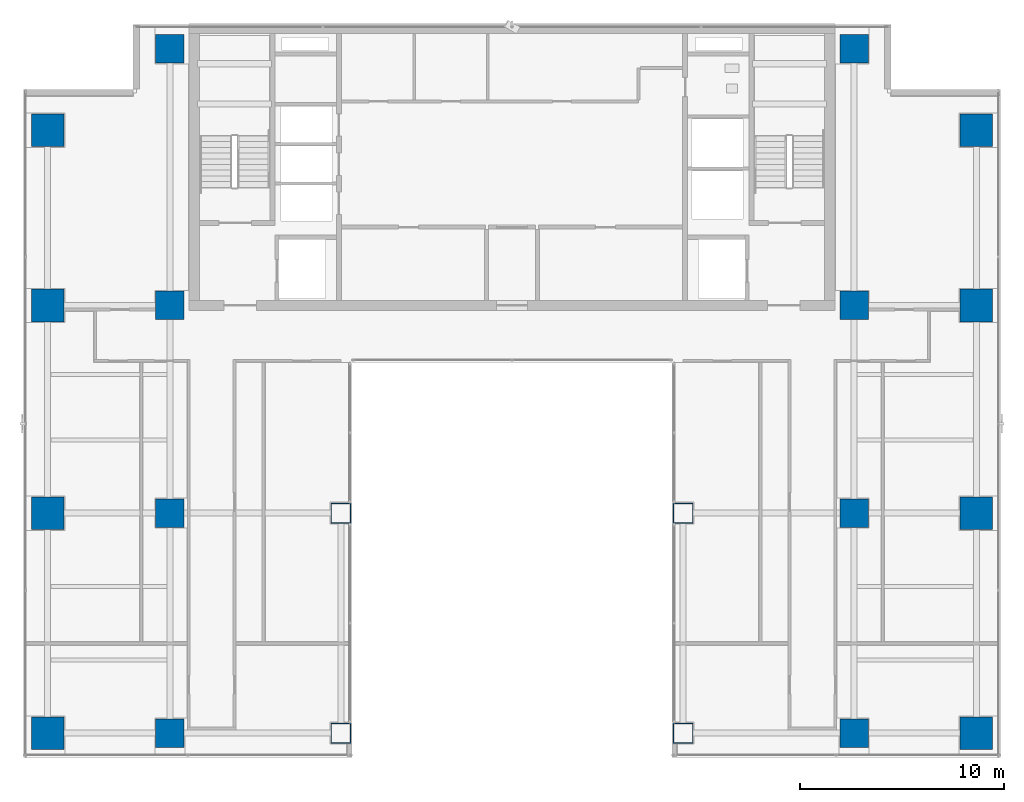
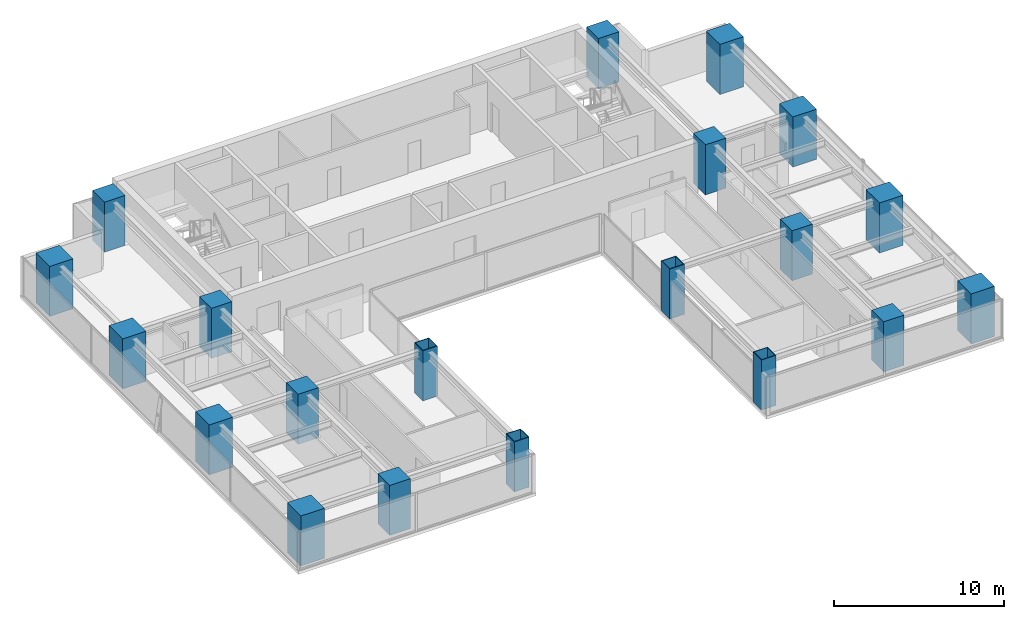
# One storey, part 1 of 29: 20 columns.
"""IFC4 building model written with IfcOpenShell, lengths in metres."""

from ifc_helpers import new_model, si_unit, direction, frame, origin, origin_2d, place, context, subcontext, project, spatial, rectangle, hollow_rectangle, extrude, source, transform, mapped, material, material_profile, profile_set, type_object, element, save


model = new_model("IFC4")

# Units and contexts
model_context = context("Model", 3, precision=1e-05, world=origin(), true_north=direction((0.0, 1.0)))
body_context = subcontext(model_context, "Body", "Model", "MODEL_VIEW")
ifc_project = project(units=[si_unit("LENGTHUNIT", "METRE"), si_unit("AREAUNIT", "SQUARE_METRE"), si_unit("VOLUMEUNIT", "CUBIC_METRE"), si_unit("PLANEANGLEUNIT", "RADIAN"), si_unit("MASSUNIT", "GRAM", prefix="KILO")], contexts=[model_context])

# Site, building, storey
site_placement = place(None, origin())
site = spatial("IfcSite", under=ifc_project, at=site_placement, CompositionType="ELEMENT")
building_placement = place(site_placement, origin())
building = spatial("IfcBuilding", under=site, at=building_placement, Name="Sumidabori Civic Tower", CompositionType="ELEMENT")
storey_placement = place(building_placement, frame((0.0, 0.0, 203.60009765625)))
storey = spatial("IfcBuildingStorey", under=building, at=storey_placement, Name="L52", CompositionType="ELEMENT", Elevation=203.60009765625)

# Columns
ifc_material_1 = material(Name="Concrete C60/75", Category="concrete")
ifc_material_profile_1 = material_profile(ifc_material_1, rectangle(XDim=1.60009765625, YDim=1.60009765625, at=origin_2d()), Name="RC 1600x1600")
ifc_profile_set_1 = profile_set([ifc_material_profile_1], Name="Concrete C60/75")
column_type_1 = type_object("IfcColumnType", Name="CL-MEGA-1600", PredefinedType="COLUMN", material=ifc_profile_set_1)
shared_shape_1 = source(origin(), body_context, "Body", "SweptSolid", [
    extrude(rectangle(XDim=1.60009765625, YDim=1.60009765625, at=origin_2d()), origin(), (0.0, 0.0, 1.0), 3.599853515625),
])
for number, where, z_axis, x_axis, name in (
    (1, (-22.800048828125, -10.800048828125, 0.0), (0.0, 0.0, 1.0), (1.0, 0.0, 0.0), "Column MC-W23-Y11S L52"),
    (2, (-22.800048828125, 0.0, 0.0), (0.0, 0.0, 1.0), (1.0, 0.0, 0.0), "Column MC-W23-Y00 L52"),
    (3, (-22.800048828125, 10.199951171875, 0.0), (0.0, 0.0, 1.0), (1.0, 0.0, 0.0), "Column MC-W23-Y10N L52"),
    (4, (-22.800048828125, 18.800048828125, 0.0), (0.0, 0.0, 1.0), (1.0, 0.0, 0.0), "Column MC-W23-Y19N L52"),
    (5, (22.800048828125, -10.800048828125, 0.0), (0.0, 0.0, 1.0), (1.0, 0.0, 0.0), "Column MC-E23-Y11S L52"),
    (6, (22.800048828125, 0.0, 0.0), (0.0, 0.0, 1.0), (1.0, 0.0, 0.0), "Column MC-E23-Y00 L52"),
    (7, (22.800048828125, 10.199951171875, 0.0), (0.0, 0.0, 1.0), (1.0, 0.0, 0.0), "Column MC-E23-Y10N L52"),
    (8, (22.800048828125, 18.800048828125, 0.0), (0.0, 0.0, 1.0), (1.0, 0.0, 0.0), "Column MC-E23-Y19N L52"),
):
    element("IfcColumn", number, at=place(storey_placement, frame(where, z_axis=z_axis, x_axis=x_axis)), inside=storey, type_object=column_type_1, Name=name, PredefinedType="COLUMN", context=body_context, shape_type="MappedRepresentation", body=[
        mapped(shared_shape_1, transform((0.0, 0.0, 0.0), x_axis=(1.0, 0.0, 0.0), y_axis=(0.0, 1.0, 0.0), z_axis=(0.0, 0.0, 1.0), scale=1.0)),
    ])
ifc_material_2 = material(Name="Steel SM570", Category="steel")
ifc_material_profile_2 = material_profile(ifc_material_2, hollow_rectangle(XDim=1.0, YDim=1.0, WallThickness=0.044921875, at=origin_2d()), Name="SHS 1000x1000x45")
ifc_profile_set_2 = profile_set([ifc_material_profile_2], Name="Steel SM570")
column_type_2 = type_object("IfcColumnType", Name="CL-PORTAL-SHS1000", PredefinedType="COLUMN", material=ifc_profile_set_2)
shared_shape_2 = source(origin(), body_context, "Body", "SweptSolid", [
    extrude(hollow_rectangle(XDim=1.0, YDim=1.0, WallThickness=0.044921875, at=origin_2d()), origin(), (0.0, 0.0, 1.0), 3.599853515625),
])
for number, where, z_axis, x_axis, name in (
    (9, (-8.39990234375, 0.0, 0.0), (0.0, 0.0, 1.0), (1.0, 0.0, 0.0), "Column MC-W08-Y00 L52"),
    (10, (-8.39990234375, -10.800048828125, 0.0), (0.0, 0.0, 1.0), (1.0, 0.0, 0.0), "Column MC-W08-Y11S L52"),
    (11, (8.39990234375, 0.0, 0.0), (0.0, 0.0, 1.0), (1.0, 0.0, 0.0), "Column MC-E08-Y00 L52"),
    (12, (8.39990234375, -10.800048828125, 0.0), (0.0, 0.0, 1.0), (1.0, 0.0, 0.0), "Column MC-E08-Y11S L52"),
):
    element("IfcColumn", number, at=place(storey_placement, frame(where, z_axis=z_axis, x_axis=x_axis)), inside=storey, type_object=column_type_2, Name=name, PredefinedType="COLUMN", context=body_context, shape_type="MappedRepresentation", body=[
        mapped(shared_shape_2, transform((0.0, 0.0, 0.0), x_axis=(1.0, 0.0, 0.0), y_axis=(0.0, 1.0, 0.0), z_axis=(0.0, 0.0, 1.0), scale=1.0)),
    ])
ifc_material_profile_3 = material_profile(ifc_material_1, rectangle(XDim=1.39990234375, YDim=1.39990234375, at=origin_2d()), Name="RC 1400x1400")
ifc_profile_set_3 = profile_set([ifc_material_profile_3], Name="Concrete C60/75")
column_type_3 = type_object("IfcColumnType", Name="CL-MEGA-1400", PredefinedType="COLUMN", material=ifc_profile_set_3)
shared_shape_3 = source(origin(), body_context, "Body", "SweptSolid", [
    extrude(rectangle(XDim=1.39990234375, YDim=1.39990234375, at=origin_2d()), origin(), (0.0, 0.0, 1.0), 3.599853515625),
])
for number, where, z_axis, x_axis, name in (
    (13, (-16.800048828125, -10.800048828125, 0.0), (0.0, 0.0, 1.0), (1.0, 0.0, 0.0), "Column MC-W16-Y11S L52"),
    (14, (-16.800048828125, 0.0, 0.0), (0.0, 0.0, 1.0), (1.0, 0.0, 0.0), "Column MC-W16-Y00 L52"),
    (15, (-16.800048828125, 10.199951171875, 0.0), (0.0, 0.0, 1.0), (1.0, 0.0, 0.0), "Column MC-W16-Y10N L52"),
    (16, (-16.800048828125, 22.800048828125, 0.0), (0.0, 0.0, 1.0), (1.0, 0.0, 0.0), "Column MC-W16-Y23N L52"),
    (17, (16.800048828125, -10.800048828125, 0.0), (0.0, 0.0, 1.0), (1.0, 0.0, 0.0), "Column MC-E16-Y11S L52"),
    (18, (16.800048828125, 0.0, 0.0), (0.0, 0.0, 1.0), (1.0, 0.0, 0.0), "Column MC-E16-Y00 L52"),
    (19, (16.800048828125, 10.199951171875, 0.0), (0.0, 0.0, 1.0), (1.0, 0.0, 0.0), "Column MC-E16-Y10N L52"),
    (20, (16.800048828125, 22.800048828125, 0.0), (0.0, 0.0, 1.0), (1.0, 0.0, 0.0), "Column MC-E16-Y23N L52"),
):
    element("IfcColumn", number, at=place(storey_placement, frame(where, z_axis=z_axis, x_axis=x_axis)), inside=storey, type_object=column_type_3, Name=name, PredefinedType="COLUMN", context=body_context, shape_type="MappedRepresentation", body=[
        mapped(shared_shape_3, transform((0.0, 0.0, 0.0), x_axis=(1.0, 0.0, 0.0), y_axis=(0.0, 1.0, 0.0), z_axis=(0.0, 0.0, 1.0), scale=1.0)),
    ])

save(model, "model.ifc")
